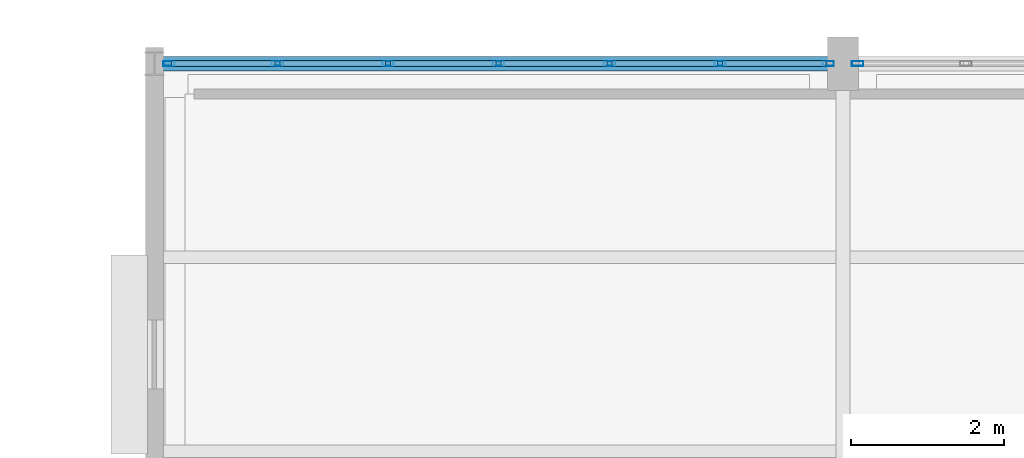
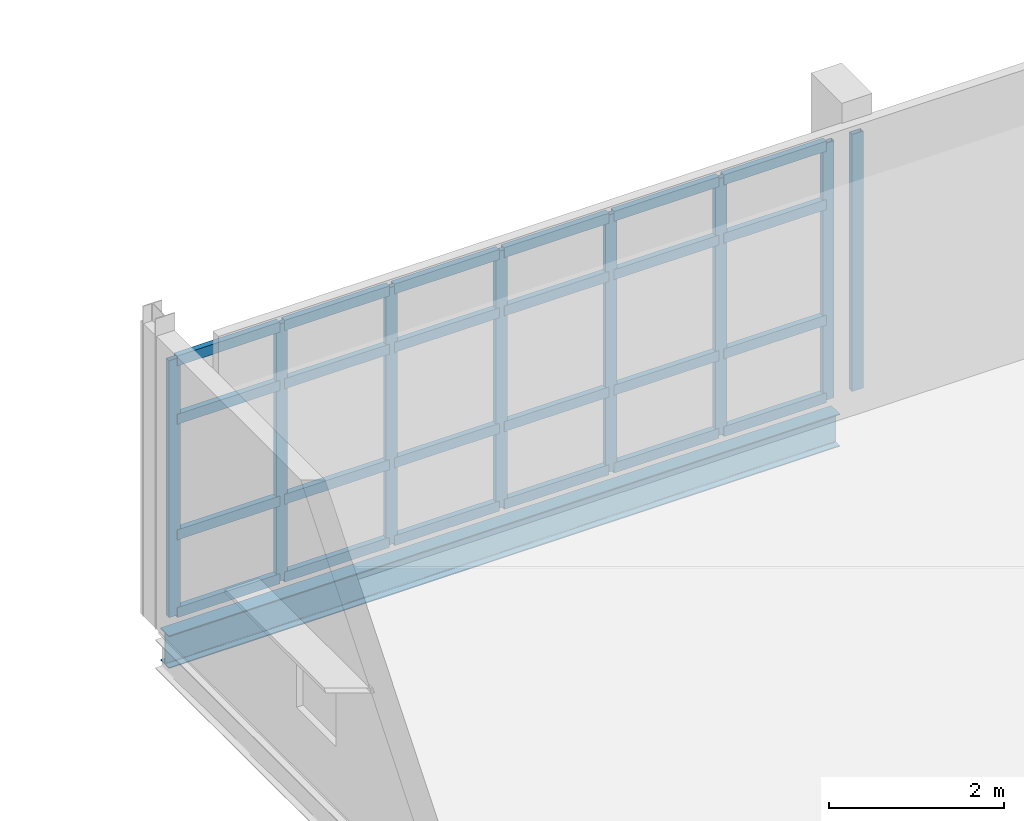
# One storey, part 82 of 174: 32 members, 1 beam, 2 elements without a shape of their own.
"""IFC4 building model written with IfcOpenShell, lengths in metres."""

from ifc_helpers import new_model, si_unit, direction, frame, origin, origin_2d, place, context, subcontext, project, spatial, hollow_rectangle, i_section, extrude, material, material_profile, profile_set, type_object, element, aggregate, save


model = new_model("IFC4")

# Units and contexts
model_context = context("Model", 3, precision=1e-05, world=origin(), true_north=direction((0.0, 1.0)))
body_context = subcontext(model_context, "Body", "Model", "MODEL_VIEW")
ifc_project = project(units=[si_unit("LENGTHUNIT", "METRE"), si_unit("AREAUNIT", "SQUARE_METRE"), si_unit("VOLUMEUNIT", "CUBIC_METRE"), si_unit("PLANEANGLEUNIT", "RADIAN"), si_unit("MASSUNIT", "GRAM", prefix="KILO")], contexts=[model_context])

# Site, building, storey
site_placement = place(None, origin())
site = spatial("IfcSite", under=ifc_project, at=site_placement, CompositionType="ELEMENT")
building_placement = place(site_placement, origin())
building = spatial("IfcBuilding", under=site, at=building_placement, Name="Caisbarro Railhouse Central Library", CompositionType="ELEMENT")
storey_placement = place(building_placement, frame((0.0, 0.0, 5.0400390625)))
storey = spatial("IfcBuildingStorey", under=building, at=storey_placement, Name="L01", CompositionType="ELEMENT", Elevation=5.0400390625)

# Beam
ifc_material_1 = material(Name="Steel ASTM A572 Grade 50", Category="steel")
ifc_material_profile_1 = material_profile(ifc_material_1, i_section(OverallWidth=0.18994140625, OverallDepth=0.45703125, WebThickness=0.009033203125, FlangeThickness=0.014404296875, FilletRadius=0.01806640625, at=origin_2d()), Name="W460X74.0")
ifc_profile_set_1 = profile_set([ifc_material_profile_1], Name="Steel ASTM A572 Grade 50")
beam_type = type_object("IfcBeamType", Name="BM-SP01", PredefinedType="SPANDREL", material=ifc_profile_set_1)
beam_placement = place(storey_placement, frame((54.080078125, 114.0, -0.428466796875), z_axis=(1.0, 0.0, 0.0), x_axis=(0.0, 1.0, 0.0)))
element("IfcBeam", 1, at=beam_placement, inside=storey, type_object=beam_type, Name="SP01 beam L01 #1179", PredefinedType="SPANDREL", context=body_context, shape_type="SweptSolid", body=[
    extrude(i_section(OverallWidth=0.18994140625, OverallDepth=0.45703125, WebThickness=0.009033203125, FlangeThickness=0.014404296875, FilletRadius=0.01806640625, at=origin_2d()), origin(), (0.0, 0.0, 1.0), 8.83984375),
])

# Curtain wall, members
ifc_material_2 = material(Name="Anodised architectural aluminium", Category="aluminium")
curtain_wall_type = type_object("IfcCurtainWallType", Name="CW-CW03", PredefinedType="NOTDEFINED", material=ifc_material_2)
curtain_wall_1_placement = place(storey_placement, origin())
curtain_wall_1 = element("IfcCurtainWall", 2, at=curtain_wall_1_placement, inside=storey, type_object=curtain_wall_type, Name="CW03 curtain wall L01 #172", PredefinedType="NOTDEFINED")
ifc_material_profile_2 = material_profile(ifc_material_2, hollow_rectangle(XDim=0.06494140625, YDim=0.14990234375, WallThickness=0.00390625, at=origin_2d()), Name="ALU-MUL-65X150")
ifc_profile_set_2 = profile_set([ifc_material_profile_2], Name="Anodised architectural aluminium")
member_type_1 = type_object("IfcMemberType", Name="CWM-M02", PredefinedType="MULLION", material=ifc_profile_set_2)
member_1_placement = place(storey_placement, frame((54.1923828125, 114.0, 0.0), z_axis=(0.0, 0.0, 1.0), x_axis=(0.0, 1.0, 0.0)))
member_1 = element("IfcMember", 3, at=member_1_placement, type_object=member_type_1, Name="CW03 mullion 1", PredefinedType="MULLION", context=body_context, shape_type="SweptSolid", body=[
    extrude(hollow_rectangle(XDim=0.06494140625, YDim=0.14990234375, WallThickness=0.00390625, at=origin_2d()), origin(), (0.0, 0.0, 1.0), 3.580078125),
])
member_2_placement = place(storey_placement, frame((55.606689453125, 114.0, 0.0), z_axis=(0.0, 0.0, 1.0), x_axis=(0.0, 1.0, 0.0)))
member_2 = element("IfcMember", 4, at=member_2_placement, type_object=member_type_1, Name="CW03 mullion 2", PredefinedType="MULLION", context=body_context, shape_type="SweptSolid", body=[
    extrude(hollow_rectangle(XDim=0.06494140625, YDim=0.14990234375, WallThickness=0.00390625, at=origin_2d()), origin(), (0.0, 0.0, 1.0), 3.580078125),
])
member_3_placement = place(storey_placement, frame((57.05322265625, 114.0, 0.0), z_axis=(0.0, 0.0, 1.0), x_axis=(0.0, 1.0, 0.0)))
member_3 = element("IfcMember", 5, at=member_3_placement, type_object=member_type_1, Name="CW03 mullion 3", PredefinedType="MULLION", context=body_context, shape_type="SweptSolid", body=[
    extrude(hollow_rectangle(XDim=0.06494140625, YDim=0.14990234375, WallThickness=0.00390625, at=origin_2d()), origin(), (0.0, 0.0, 1.0), 3.580078125),
])
member_4_placement = place(storey_placement, frame((58.5, 114.0, 0.0), z_axis=(0.0, 0.0, 1.0), x_axis=(0.0, 1.0, 0.0)))
member_4 = element("IfcMember", 6, at=member_4_placement, type_object=member_type_1, Name="CW03 mullion 4", PredefinedType="MULLION", context=body_context, shape_type="SweptSolid", body=[
    extrude(hollow_rectangle(XDim=0.06494140625, YDim=0.14990234375, WallThickness=0.00390625, at=origin_2d()), origin(), (0.0, 0.0, 1.0), 3.580078125),
])
member_5_placement = place(storey_placement, frame((59.94677734375, 114.0, 0.0), z_axis=(0.0, 0.0, 1.0), x_axis=(0.0, 1.0, 0.0)))
member_5 = element("IfcMember", 7, at=member_5_placement, type_object=member_type_1, Name="CW03 mullion 5", PredefinedType="MULLION", context=body_context, shape_type="SweptSolid", body=[
    extrude(hollow_rectangle(XDim=0.06494140625, YDim=0.14990234375, WallThickness=0.00390625, at=origin_2d()), origin(), (0.0, 0.0, 1.0), 3.580078125),
])
member_6_placement = place(storey_placement, frame((61.393310546875, 114.0, 0.0), z_axis=(0.0, 0.0, 1.0), x_axis=(0.0, 1.0, 0.0)))
member_6 = element("IfcMember", 8, at=member_6_placement, type_object=member_type_1, Name="CW03 mullion 6", PredefinedType="MULLION", context=body_context, shape_type="SweptSolid", body=[
    extrude(hollow_rectangle(XDim=0.06494140625, YDim=0.14990234375, WallThickness=0.00390625, at=origin_2d()), origin(), (0.0, 0.0, 1.0), 3.580078125),
])
member_7_placement = place(storey_placement, frame((62.8076171875, 114.0, 0.0), z_axis=(0.0, 0.0, 1.0), x_axis=(0.0, 1.0, 0.0)))
member_7 = element("IfcMember", 9, at=member_7_placement, type_object=member_type_1, Name="CW03 mullion 7", PredefinedType="MULLION", context=body_context, shape_type="SweptSolid", body=[
    extrude(hollow_rectangle(XDim=0.06494140625, YDim=0.14990234375, WallThickness=0.00390625, at=origin_2d()), origin(), (0.0, 0.0, 1.0), 3.580078125),
])

# Curtain wall, member
curtain_wall_2_placement = place(storey_placement, origin())
curtain_wall_2 = element("IfcCurtainWall", 10, at=curtain_wall_2_placement, inside=storey, type_object=curtain_wall_type, Name="CW03 curtain wall L01 #173", PredefinedType="NOTDEFINED")
member_8_placement = place(storey_placement, frame((63.1923828125, 114.0, 0.0), z_axis=(0.0, 0.0, 1.0), x_axis=(0.0, 1.0, 0.0)))
member_8 = element("IfcMember", 11, at=member_8_placement, type_object=member_type_1, Name="CW03 mullion 1", PredefinedType="MULLION", context=body_context, shape_type="SweptSolid", body=[
    extrude(hollow_rectangle(XDim=0.06494140625, YDim=0.14990234375, WallThickness=0.00390625, at=origin_2d()), origin(), (0.0, 0.0, 1.0), 3.580078125),
])
aggregate(curtain_wall_2, [member_8])

# Member
ifc_material_profile_3 = material_profile(ifc_material_2, hollow_rectangle(XDim=0.074951171875, YDim=0.139892578125, WallThickness=0.00390625, at=origin_2d()), Name="ALU-TRN-75X140")
ifc_profile_set_3 = profile_set([ifc_material_profile_3], Name="Anodised architectural aluminium")
member_type_2 = type_object("IfcMemberType", Name="CWT-T01", PredefinedType="USERDEFINED", material=ifc_profile_set_3)
member_9_placement = place(storey_placement, frame((54.22509765625, 114.0, 0.037353515625), z_axis=(1.0, 0.0, 0.0), x_axis=(0.0, 1.0, 0.0)))
member_9 = element("IfcMember", 12, at=member_9_placement, type_object=member_type_2, Name="CW03 transom 1.1", ObjectType="TRANSOM", PredefinedType="USERDEFINED", context=body_context, shape_type="SweptSolid", body=[
    extrude(hollow_rectangle(XDim=0.074951171875, YDim=0.139892578125, WallThickness=0.00390625, at=origin_2d()), origin(), (0.0, 0.0, 1.0), 1.34912109375),
])

member_10_placement = place(storey_placement, frame((54.22509765625, 114.0, 1.119873046875), z_axis=(1.0, 0.0, 0.0), x_axis=(0.0, 1.0, 0.0)))
member_10 = element("IfcMember", 13, at=member_10_placement, type_object=member_type_2, Name="CW03 transom 1.2", ObjectType="TRANSOM", PredefinedType="USERDEFINED", context=body_context, shape_type="SweptSolid", body=[
    extrude(hollow_rectangle(XDim=0.074951171875, YDim=0.139892578125, WallThickness=0.00390625, at=origin_2d()), origin(), (0.0, 0.0, 1.0), 1.34912109375),
])

member_11_placement = place(storey_placement, frame((54.22509765625, 114.0, 2.72998046875), z_axis=(1.0, 0.0, 0.0), x_axis=(0.0, 1.0, 0.0)))
member_11 = element("IfcMember", 14, at=member_11_placement, type_object=member_type_2, Name="CW03 transom 1.3", ObjectType="TRANSOM", PredefinedType="USERDEFINED", context=body_context, shape_type="SweptSolid", body=[
    extrude(hollow_rectangle(XDim=0.074951171875, YDim=0.139892578125, WallThickness=0.00390625, at=origin_2d()), origin(), (0.0, 0.0, 1.0), 1.34912109375),
])

member_12_placement = place(storey_placement, frame((54.22509765625, 114.0, 3.54248046875), z_axis=(1.0, 0.0, 0.0), x_axis=(0.0, 1.0, 0.0)))
member_12 = element("IfcMember", 15, at=member_12_placement, type_object=member_type_2, Name="CW03 transom 1.4", ObjectType="TRANSOM", PredefinedType="USERDEFINED", context=body_context, shape_type="SweptSolid", body=[
    extrude(hollow_rectangle(XDim=0.074951171875, YDim=0.139892578125, WallThickness=0.00390625, at=origin_2d()), origin(), (0.0, 0.0, 1.0), 1.34912109375),
])

member_13_placement = place(storey_placement, frame((55.63916015625, 114.0, 0.037353515625), z_axis=(1.0, 0.0, 0.0), x_axis=(0.0, 1.0, 0.0)))
member_13 = element("IfcMember", 16, at=member_13_placement, type_object=member_type_2, Name="CW03 transom 2.1", ObjectType="TRANSOM", PredefinedType="USERDEFINED", context=body_context, shape_type="SweptSolid", body=[
    extrude(hollow_rectangle(XDim=0.074951171875, YDim=0.139892578125, WallThickness=0.00390625, at=origin_2d()), origin(), (0.0, 0.0, 1.0), 1.381591796875),
])

member_14_placement = place(storey_placement, frame((55.63916015625, 114.0, 1.119873046875), z_axis=(1.0, 0.0, 0.0), x_axis=(0.0, 1.0, 0.0)))
member_14 = element("IfcMember", 17, at=member_14_placement, type_object=member_type_2, Name="CW03 transom 2.2", ObjectType="TRANSOM", PredefinedType="USERDEFINED", context=body_context, shape_type="SweptSolid", body=[
    extrude(hollow_rectangle(XDim=0.074951171875, YDim=0.139892578125, WallThickness=0.00390625, at=origin_2d()), origin(), (0.0, 0.0, 1.0), 1.381591796875),
])

member_15_placement = place(storey_placement, frame((55.63916015625, 114.0, 2.72998046875), z_axis=(1.0, 0.0, 0.0), x_axis=(0.0, 1.0, 0.0)))
member_15 = element("IfcMember", 18, at=member_15_placement, type_object=member_type_2, Name="CW03 transom 2.3", ObjectType="TRANSOM", PredefinedType="USERDEFINED", context=body_context, shape_type="SweptSolid", body=[
    extrude(hollow_rectangle(XDim=0.074951171875, YDim=0.139892578125, WallThickness=0.00390625, at=origin_2d()), origin(), (0.0, 0.0, 1.0), 1.381591796875),
])

member_16_placement = place(storey_placement, frame((55.63916015625, 114.0, 3.54248046875), z_axis=(1.0, 0.0, 0.0), x_axis=(0.0, 1.0, 0.0)))
member_16 = element("IfcMember", 19, at=member_16_placement, type_object=member_type_2, Name="CW03 transom 2.4", ObjectType="TRANSOM", PredefinedType="USERDEFINED", context=body_context, shape_type="SweptSolid", body=[
    extrude(hollow_rectangle(XDim=0.074951171875, YDim=0.139892578125, WallThickness=0.00390625, at=origin_2d()), origin(), (0.0, 0.0, 1.0), 1.381591796875),
])

member_17_placement = place(storey_placement, frame((57.0859375, 114.0, 0.037353515625), z_axis=(1.0, 0.0, 0.0), x_axis=(0.0, 1.0, 0.0)))
member_17 = element("IfcMember", 20, at=member_17_placement, type_object=member_type_2, Name="CW03 transom 3.1", ObjectType="TRANSOM", PredefinedType="USERDEFINED", context=body_context, shape_type="SweptSolid", body=[
    extrude(hollow_rectangle(XDim=0.074951171875, YDim=0.139892578125, WallThickness=0.00390625, at=origin_2d()), origin(), (0.0, 0.0, 1.0), 1.381591796875),
])

member_18_placement = place(storey_placement, frame((57.0859375, 114.0, 1.119873046875), z_axis=(1.0, 0.0, 0.0), x_axis=(0.0, 1.0, 0.0)))
member_18 = element("IfcMember", 21, at=member_18_placement, type_object=member_type_2, Name="CW03 transom 3.2", ObjectType="TRANSOM", PredefinedType="USERDEFINED", context=body_context, shape_type="SweptSolid", body=[
    extrude(hollow_rectangle(XDim=0.074951171875, YDim=0.139892578125, WallThickness=0.00390625, at=origin_2d()), origin(), (0.0, 0.0, 1.0), 1.381591796875),
])

member_19_placement = place(storey_placement, frame((57.0859375, 114.0, 2.72998046875), z_axis=(1.0, 0.0, 0.0), x_axis=(0.0, 1.0, 0.0)))
member_19 = element("IfcMember", 22, at=member_19_placement, type_object=member_type_2, Name="CW03 transom 3.3", ObjectType="TRANSOM", PredefinedType="USERDEFINED", context=body_context, shape_type="SweptSolid", body=[
    extrude(hollow_rectangle(XDim=0.074951171875, YDim=0.139892578125, WallThickness=0.00390625, at=origin_2d()), origin(), (0.0, 0.0, 1.0), 1.381591796875),
])

member_20_placement = place(storey_placement, frame((57.0859375, 114.0, 3.54248046875), z_axis=(1.0, 0.0, 0.0), x_axis=(0.0, 1.0, 0.0)))
member_20 = element("IfcMember", 23, at=member_20_placement, type_object=member_type_2, Name="CW03 transom 3.4", ObjectType="TRANSOM", PredefinedType="USERDEFINED", context=body_context, shape_type="SweptSolid", body=[
    extrude(hollow_rectangle(XDim=0.074951171875, YDim=0.139892578125, WallThickness=0.00390625, at=origin_2d()), origin(), (0.0, 0.0, 1.0), 1.381591796875),
])

member_21_placement = place(storey_placement, frame((58.532470703125, 114.0, 0.037353515625), z_axis=(1.0, 0.0, 0.0), x_axis=(0.0, 1.0, 0.0)))
member_21 = element("IfcMember", 24, at=member_21_placement, type_object=member_type_2, Name="CW03 transom 4.1", ObjectType="TRANSOM", PredefinedType="USERDEFINED", context=body_context, shape_type="SweptSolid", body=[
    extrude(hollow_rectangle(XDim=0.074951171875, YDim=0.139892578125, WallThickness=0.00390625, at=origin_2d()), origin(), (0.0, 0.0, 1.0), 1.381591796875),
])

member_22_placement = place(storey_placement, frame((58.532470703125, 114.0, 1.119873046875), z_axis=(1.0, 0.0, 0.0), x_axis=(0.0, 1.0, 0.0)))
member_22 = element("IfcMember", 25, at=member_22_placement, type_object=member_type_2, Name="CW03 transom 4.2", ObjectType="TRANSOM", PredefinedType="USERDEFINED", context=body_context, shape_type="SweptSolid", body=[
    extrude(hollow_rectangle(XDim=0.074951171875, YDim=0.139892578125, WallThickness=0.00390625, at=origin_2d()), origin(), (0.0, 0.0, 1.0), 1.381591796875),
])

member_23_placement = place(storey_placement, frame((58.532470703125, 114.0, 2.72998046875), z_axis=(1.0, 0.0, 0.0), x_axis=(0.0, 1.0, 0.0)))
member_23 = element("IfcMember", 26, at=member_23_placement, type_object=member_type_2, Name="CW03 transom 4.3", ObjectType="TRANSOM", PredefinedType="USERDEFINED", context=body_context, shape_type="SweptSolid", body=[
    extrude(hollow_rectangle(XDim=0.074951171875, YDim=0.139892578125, WallThickness=0.00390625, at=origin_2d()), origin(), (0.0, 0.0, 1.0), 1.381591796875),
])

member_24_placement = place(storey_placement, frame((58.532470703125, 114.0, 3.54248046875), z_axis=(1.0, 0.0, 0.0), x_axis=(0.0, 1.0, 0.0)))
member_24 = element("IfcMember", 27, at=member_24_placement, type_object=member_type_2, Name="CW03 transom 4.4", ObjectType="TRANSOM", PredefinedType="USERDEFINED", context=body_context, shape_type="SweptSolid", body=[
    extrude(hollow_rectangle(XDim=0.074951171875, YDim=0.139892578125, WallThickness=0.00390625, at=origin_2d()), origin(), (0.0, 0.0, 1.0), 1.381591796875),
])

member_25_placement = place(storey_placement, frame((59.979248046875, 114.0, 0.037353515625), z_axis=(1.0, 0.0, 0.0), x_axis=(0.0, 1.0, 0.0)))
member_25 = element("IfcMember", 28, at=member_25_placement, type_object=member_type_2, Name="CW03 transom 5.1", ObjectType="TRANSOM", PredefinedType="USERDEFINED", context=body_context, shape_type="SweptSolid", body=[
    extrude(hollow_rectangle(XDim=0.074951171875, YDim=0.139892578125, WallThickness=0.00390625, at=origin_2d()), origin(), (0.0, 0.0, 1.0), 1.381591796875),
])

member_26_placement = place(storey_placement, frame((59.979248046875, 114.0, 1.119873046875), z_axis=(1.0, 0.0, 0.0), x_axis=(0.0, 1.0, 0.0)))
member_26 = element("IfcMember", 29, at=member_26_placement, type_object=member_type_2, Name="CW03 transom 5.2", ObjectType="TRANSOM", PredefinedType="USERDEFINED", context=body_context, shape_type="SweptSolid", body=[
    extrude(hollow_rectangle(XDim=0.074951171875, YDim=0.139892578125, WallThickness=0.00390625, at=origin_2d()), origin(), (0.0, 0.0, 1.0), 1.381591796875),
])

member_27_placement = place(storey_placement, frame((59.979248046875, 114.0, 2.72998046875), z_axis=(1.0, 0.0, 0.0), x_axis=(0.0, 1.0, 0.0)))
member_27 = element("IfcMember", 30, at=member_27_placement, type_object=member_type_2, Name="CW03 transom 5.3", ObjectType="TRANSOM", PredefinedType="USERDEFINED", context=body_context, shape_type="SweptSolid", body=[
    extrude(hollow_rectangle(XDim=0.074951171875, YDim=0.139892578125, WallThickness=0.00390625, at=origin_2d()), origin(), (0.0, 0.0, 1.0), 1.381591796875),
])

member_28_placement = place(storey_placement, frame((59.979248046875, 114.0, 3.54248046875), z_axis=(1.0, 0.0, 0.0), x_axis=(0.0, 1.0, 0.0)))
member_28 = element("IfcMember", 31, at=member_28_placement, type_object=member_type_2, Name="CW03 transom 5.4", ObjectType="TRANSOM", PredefinedType="USERDEFINED", context=body_context, shape_type="SweptSolid", body=[
    extrude(hollow_rectangle(XDim=0.074951171875, YDim=0.139892578125, WallThickness=0.00390625, at=origin_2d()), origin(), (0.0, 0.0, 1.0), 1.381591796875),
])

member_29_placement = place(storey_placement, frame((61.42578125, 114.0, 0.037353515625), z_axis=(1.0, 0.0, 0.0), x_axis=(0.0, 1.0, 0.0)))
member_29 = element("IfcMember", 32, at=member_29_placement, type_object=member_type_2, Name="CW03 transom 6.1", ObjectType="TRANSOM", PredefinedType="USERDEFINED", context=body_context, shape_type="SweptSolid", body=[
    extrude(hollow_rectangle(XDim=0.074951171875, YDim=0.139892578125, WallThickness=0.00390625, at=origin_2d()), origin(), (0.0, 0.0, 1.0), 1.34912109375),
])

member_30_placement = place(storey_placement, frame((61.42578125, 114.0, 1.119873046875), z_axis=(1.0, 0.0, 0.0), x_axis=(0.0, 1.0, 0.0)))
member_30 = element("IfcMember", 33, at=member_30_placement, type_object=member_type_2, Name="CW03 transom 6.2", ObjectType="TRANSOM", PredefinedType="USERDEFINED", context=body_context, shape_type="SweptSolid", body=[
    extrude(hollow_rectangle(XDim=0.074951171875, YDim=0.139892578125, WallThickness=0.00390625, at=origin_2d()), origin(), (0.0, 0.0, 1.0), 1.34912109375),
])

member_31_placement = place(storey_placement, frame((61.42578125, 114.0, 2.72998046875), z_axis=(1.0, 0.0, 0.0), x_axis=(0.0, 1.0, 0.0)))
member_31 = element("IfcMember", 34, at=member_31_placement, type_object=member_type_2, Name="CW03 transom 6.3", ObjectType="TRANSOM", PredefinedType="USERDEFINED", context=body_context, shape_type="SweptSolid", body=[
    extrude(hollow_rectangle(XDim=0.074951171875, YDim=0.139892578125, WallThickness=0.00390625, at=origin_2d()), origin(), (0.0, 0.0, 1.0), 1.34912109375),
])

member_32_placement = place(storey_placement, frame((61.42578125, 114.0, 3.54248046875), z_axis=(1.0, 0.0, 0.0), x_axis=(0.0, 1.0, 0.0)))
member_32 = element("IfcMember", 35, at=member_32_placement, type_object=member_type_2, Name="CW03 transom 6.4", ObjectType="TRANSOM", PredefinedType="USERDEFINED", context=body_context, shape_type="SweptSolid", body=[
    extrude(hollow_rectangle(XDim=0.074951171875, YDim=0.139892578125, WallThickness=0.00390625, at=origin_2d()), origin(), (0.0, 0.0, 1.0), 1.34912109375),
])

aggregate(curtain_wall_1, [member_1, member_2, member_3, member_4, member_5, member_6, member_7, member_9, member_10, member_11, member_12, member_13, member_14, member_15, member_16, member_17, member_18, member_19, member_20, member_21, member_22, member_23, member_24, member_25, member_26, member_27, member_28, member_29, member_30, member_31, member_32])

save(model, "model.ifc")
